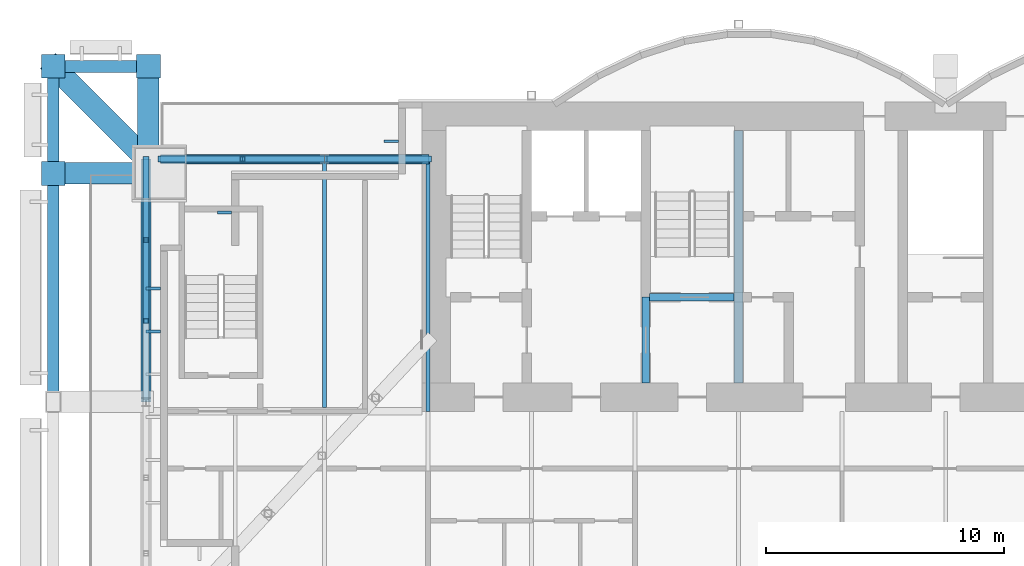
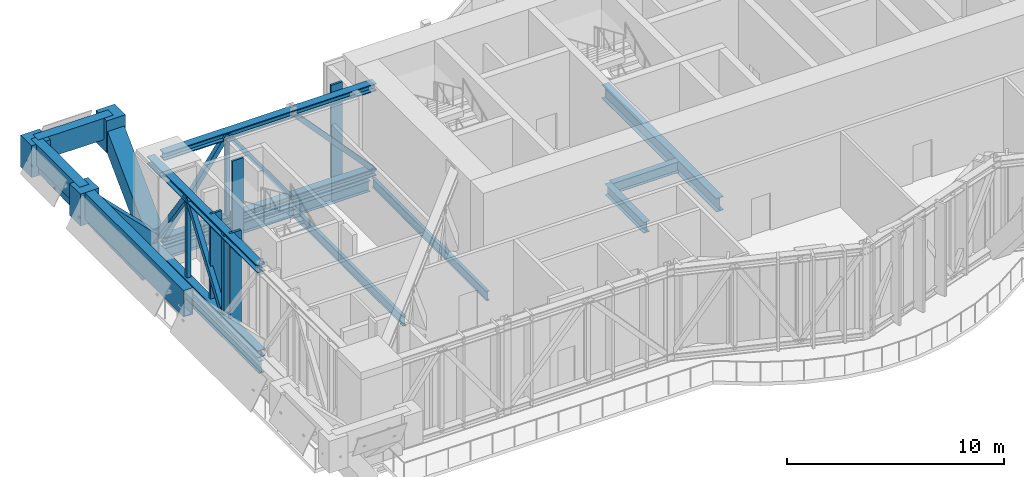
# One storey, part 5 of 20: 24 members, 11 beams, 1 element without a shape of its own.
"""IFC4 building model written with IfcOpenShell, lengths in metres."""

from ifc_helpers import new_model, si_unit, direction, frame, origin, origin_2d, place, context, subcontext, project, spatial, rectangle, hollow_rectangle, i_section, extrude, material, material_profile, profile_set, type_object, element, aggregate, save


model = new_model("IFC4")

# Units and contexts
model_context = context("Model", 3, precision=1e-05, world=origin(), true_north=direction((0.0, 1.0)))
body_context = subcontext(model_context, "Body", "Model", "MODEL_VIEW")
ifc_project = project(units=[si_unit("LENGTHUNIT", "METRE"), si_unit("AREAUNIT", "SQUARE_METRE"), si_unit("VOLUMEUNIT", "CUBIC_METRE"), si_unit("PLANEANGLEUNIT", "RADIAN"), si_unit("MASSUNIT", "GRAM", prefix="KILO")], contexts=[model_context])

# Site, building, storey
site_placement = place(None, origin())
site = spatial("IfcSite", under=ifc_project, at=site_placement, CompositionType="ELEMENT")
building_placement = place(site_placement, origin())
building = spatial("IfcBuilding", under=site, at=building_placement, Name="Bicima Exchange Tower", CompositionType="ELEMENT")
storey_placement = place(building_placement, frame((0.0, 0.0, 342.5)))
storey = spatial("IfcBuildingStorey", under=building, at=storey_placement, Name="L77", CompositionType="ELEMENT", Elevation=342.5)

# Curtain wall, members
ifc_material_1 = material(Name="Anodised bronze aluminium", Category="aluminium")
curtain_wall_type = type_object("IfcCurtainWallType", Name="Band blade screen", PredefinedType="NOTDEFINED", material=ifc_material_1)
curtain_wall_placement = place(storey_placement, origin())
curtain_wall = element("IfcCurtainWall", 1, at=curtain_wall_placement, inside=storey, type_object=curtain_wall_type, Name="Band blade screen L77", PredefinedType="NOTDEFINED")
ifc_material_profile_1 = material_profile(ifc_material_1, rectangle(XDim=0.60009765625, YDim=0.1201171875, at=origin_2d()))
ifc_profile_set_1 = profile_set([ifc_material_profile_1], Name="Anodised bronze aluminium")
member_type_1 = type_object("IfcMemberType", Name="Band blade fin 600 x 120", PredefinedType="USERDEFINED", material=ifc_profile_set_1)
member_1_placement = place(storey_placement, frame((-23.300048828125, -1.64990234375, 0.0), z_axis=(0.0, 0.0, 1.0), x_axis=(1.0, 0.0, 0.0)))
member_1 = element("IfcMember", 2, at=member_1_placement, type_object=member_type_1, Name="Band blade fin 9", ObjectType="FIN", PredefinedType="USERDEFINED", context=body_context, shape_type="SweptSolid", body=[
    extrude(rectangle(XDim=0.60009765625, YDim=0.1201171875, at=origin_2d()), origin(), (0.0, 0.0, 1.0), 5.199951171875),
])
member_2_placement = place(storey_placement, frame((-30.300048828125, -4.64990234375, 0.0), z_axis=(0.0, 0.0, 1.0), x_axis=(1.0, 0.0, 0.0)))
member_2 = element("IfcMember", 3, at=member_2_placement, type_object=member_type_1, Name="Band blade fin 10", ObjectType="FIN", PredefinedType="USERDEFINED", context=body_context, shape_type="SweptSolid", body=[
    extrude(rectangle(XDim=0.60009765625, YDim=0.1201171875, at=origin_2d()), origin(), (0.0, 0.0, 1.0), 5.199951171875),
])
member_3_placement = place(storey_placement, frame((-33.300048828125, -7.837890625, 0.0), z_axis=(0.0, 0.0, 1.0), x_axis=(1.0, 0.0, 0.0)))
member_3 = element("IfcMember", 4, at=member_3_placement, type_object=member_type_1, Name="Band blade fin 11", ObjectType="FIN", PredefinedType="USERDEFINED", context=body_context, shape_type="SweptSolid", body=[
    extrude(rectangle(XDim=0.60009765625, YDim=0.1201171875, at=origin_2d()), origin(), (0.0, 0.0, 1.0), 5.199951171875),
])
member_4_placement = place(storey_placement, frame((-33.300048828125, -9.637939453125, 0.0), z_axis=(0.0, 0.0, 1.0), x_axis=(1.0, 0.0, 0.0)))
member_4 = element("IfcMember", 5, at=member_4_placement, type_object=member_type_1, Name="Band blade fin 12", ObjectType="FIN", PredefinedType="USERDEFINED", context=body_context, shape_type="SweptSolid", body=[
    extrude(rectangle(XDim=0.60009765625, YDim=0.1201171875, at=origin_2d()), origin(), (0.0, 0.0, 1.0), 5.199951171875),
])
aggregate(curtain_wall, [member_1, member_2, member_3, member_4])

# Beams
ifc_material_2 = material(Name="Steel ASTM A572 Gr 50", Category="steel")
ifc_material_profile_2 = material_profile(ifc_material_2, hollow_rectangle(XDim=0.5, YDim=1.199951171875, WallThickness=0.0400390625, at=origin_2d()))
ifc_profile_set_2 = profile_set([ifc_material_profile_2], Name="Steel ASTM A572 Gr 50")
beam_type_1 = type_object("IfcBeamType", Name="Belt girder BOX 500x1200x40", PredefinedType="BEAM", material=ifc_profile_set_2)
beam_1_placement = place(storey_placement, frame((-33.5, 1.5, 4.60009765625), z_axis=(-1.0, 0.0, 0.0), x_axis=(0.0, -1.0, 0.0)))
element("IfcBeam", 6, at=beam_1_placement, inside=storey, type_object=beam_type_1, Name="Belt girder", PredefinedType="BEAM", context=body_context, shape_type="SweptSolid", body=[
    extrude(hollow_rectangle(XDim=0.5, YDim=1.199951171875, WallThickness=0.0400390625, at=origin_2d()), origin(), (0.0, 0.0, 1.0), 4.0),
])
beam_2_placement = place(storey_placement, frame((-37.5, 1.5, 4.60009765625), z_axis=(0.0, -1.0, 0.0), x_axis=(1.0, 0.0, 0.0)))
element("IfcBeam", 7, at=beam_2_placement, inside=storey, type_object=beam_type_1, Name="Belt girder", PredefinedType="BEAM", context=body_context, shape_type="SweptSolid", body=[
    extrude(hollow_rectangle(XDim=0.5, YDim=1.199951171875, WallThickness=0.0400390625, at=origin_2d()), origin(), (0.0, 0.0, 1.0), 4.5),
])
ifc_material_profile_3 = material_profile(ifc_material_2, hollow_rectangle(XDim=0.5, YDim=1.5, WallThickness=0.050048828125, at=origin_2d()))
ifc_profile_set_3 = profile_set([ifc_material_profile_3], Name="Steel ASTM A572 Gr 50")
beam_type_2 = type_object("IfcBeamType", Name="Belt girder BOX 500x1500x50", PredefinedType="BEAM", material=ifc_profile_set_3)
beam_3_placement = place(storey_placement, frame((-37.5, -3.0, 4.449951171875), z_axis=(0.0, -1.0, 0.0), x_axis=(1.0, 0.0, 0.0)))
element("IfcBeam", 8, at=beam_3_placement, inside=storey, type_object=beam_type_2, Name="Belt girder", PredefinedType="BEAM", context=body_context, shape_type="SweptSolid", body=[
    extrude(hollow_rectangle(XDim=0.5, YDim=1.5, WallThickness=0.050048828125, at=origin_2d()), origin(), (0.0, 0.0, 1.0), 9.60009765625),
])

# Members
ifc_material_3 = material(Name="Steel ASTM A992 Gr 50", Category="steel")
ifc_material_profile_4 = material_profile(ifc_material_3, i_section(OverallWidth=0.406494140625, OverallDepth=0.41650390625, WebThickness=0.030029296875, FlangeThickness=0.048095703125, at=origin_2d()))
ifc_profile_set_4 = profile_set([ifc_material_profile_4], Name="Steel ASTM A992 Gr 50")
member_type_2 = type_object("IfcMemberType", Name="Belt truss chord W14x257", PredefinedType="CHORD", material=ifc_profile_set_4)
for number, where, z_axis, x_axis, name in (
    (9, (-21.699951171875, -2.39990234375, 4.99169921875), (-1.0, 0.0, 0.0), (0.0, -1.0, 0.0), "Top chord"),
    (10, (-21.699951171875, -2.39990234375, 0.208251953125), (-1.0, 0.0, 0.0), (0.0, -1.0, 0.0), "Bottom chord"),
):
    element("IfcMember", number, at=place(storey_placement, frame(where, z_axis=z_axis, x_axis=x_axis)), inside=storey, type_object=member_type_2, Name=name, PredefinedType="CHORD", context=body_context, shape_type="SweptSolid", body=[
        extrude(i_section(OverallWidth=0.406494140625, OverallDepth=0.41650390625, WebThickness=0.030029296875, FlangeThickness=0.048095703125, at=origin_2d()), origin(), (0.0, 0.0, 1.0), 4.400146484375),
    ])
for number, where, z_axis, x_axis, name in (
    (11, (-26.10009765625, -2.39990234375, 4.99169921875), (-1.0, 0.0, 0.0), (0.0, -1.0, 0.0), "Top chord"),
    (12, (-26.10009765625, -2.39990234375, 0.208251953125), (-1.0, 0.0, 0.0), (0.0, -1.0, 0.0), "Bottom chord"),
):
    element("IfcMember", number, at=place(storey_placement, frame(where, z_axis=z_axis, x_axis=x_axis)), inside=storey, type_object=member_type_2, Name=name, PredefinedType="CHORD", context=body_context, shape_type="SweptSolid", body=[
        extrude(i_section(OverallWidth=0.406494140625, OverallDepth=0.41650390625, WebThickness=0.030029296875, FlangeThickness=0.048095703125, at=origin_2d()), origin(), (0.0, 0.0, 1.0), 6.89990234375),
    ])
for number, where, z_axis, x_axis, name in (
    (13, (-33.60009765625, -2.39990234375, 4.99169921875), (0.0, -1.0, 0.0), (1.0, 0.0, 0.0), "Top chord"),
    (14, (-33.60009765625, -2.39990234375, 0.208251953125), (0.0, -1.0, 0.0), (1.0, 0.0, 0.0), "Bottom chord"),
):
    element("IfcMember", number, at=place(storey_placement, frame(where, z_axis=z_axis, x_axis=x_axis)), inside=storey, type_object=member_type_2, Name=name, PredefinedType="CHORD", context=body_context, shape_type="SweptSolid", body=[
        extrude(i_section(OverallWidth=0.406494140625, OverallDepth=0.41650390625, WebThickness=0.030029296875, FlangeThickness=0.048095703125, at=origin_2d()), origin(), (0.0, 0.0, 1.0), 10.2001953125),
    ])
ifc_material_profile_5 = material_profile(ifc_material_2, hollow_rectangle(XDim=0.25390625, YDim=0.25390625, WallThickness=0.01171875, at=origin_2d()))
ifc_profile_set_5 = profile_set([ifc_material_profile_5], Name="Steel ASTM A572 Gr 50")
member_type_3 = type_object("IfcMemberType", Name="Belt truss diagonal HSS10x10x1/2", PredefinedType="STRUT", material=ifc_profile_set_5)
member_5_placement = place(storey_placement, frame((-21.699951171875, -2.39990234375, 0.208251953125), z_axis=(-0.67700444821, 0.0, 0.735978924362), x_axis=(0.0, -1.0, 0.0)))
element("IfcMember", 15, at=member_5_placement, inside=storey, type_object=member_type_3, Name="Truss diagonal", PredefinedType="STRUT", context=body_context, shape_type="SweptSolid", body=[
    extrude(hollow_rectangle(XDim=0.25390625, YDim=0.25390625, WallThickness=0.01171875, at=origin_2d()), origin(), (0.0, 0.0, 1.0), 6.49951171875),
])
for number, where, z_axis, x_axis, name in (
    (16, (-26.10009765625, -2.39990234375, 0.208251953125), (-0.584959927831, 0.0, 0.811062194182), (0.0, -1.0, 0.0), "Truss diagonal"),
    (17, (-29.550048828125, -2.39990234375, 4.99169921875), (-0.584959927831, 0.0, -0.811062194182), (0.0, -1.0, 0.0), "Truss diagonal"),
):
    element("IfcMember", number, at=place(storey_placement, frame(where, z_axis=z_axis, x_axis=x_axis)), inside=storey, type_object=member_type_3, Name=name, PredefinedType="STRUT", context=body_context, shape_type="SweptSolid", body=[
        extrude(hollow_rectangle(XDim=0.25390625, YDim=0.25390625, WallThickness=0.01171875, at=origin_2d()), origin(), (0.0, 0.0, 1.0), 5.897705078125),
    ])
for number, where, z_axis, x_axis, name in (
    (18, (-33.60009765625, -2.39990234375, 0.208251953125), (0.0, -0.579363528427, 0.815069262043), (1.0, 0.0, 0.0), "Truss diagonal"),
    (19, (-33.60009765625, -5.800048828125, 4.99169921875), (0.0, -0.579335890956, -0.81508890647), (1.0, 0.0, 0.0), "Truss diagonal"),
):
    element("IfcMember", number, at=place(storey_placement, frame(where, z_axis=z_axis, x_axis=x_axis)), inside=storey, type_object=member_type_3, Name=name, PredefinedType="STRUT", context=body_context, shape_type="SweptSolid", body=[
        extrude(hollow_rectangle(XDim=0.25390625, YDim=0.25390625, WallThickness=0.01171875, at=origin_2d()), origin(), (0.0, 0.0, 1.0), 5.86865234375),
    ])
ifc_material_profile_6 = material_profile(ifc_material_2, hollow_rectangle(XDim=0.203125, YDim=0.203125, WallThickness=0.01171875, at=origin_2d()))
ifc_profile_set_6 = profile_set([ifc_material_profile_6], Name="Steel ASTM A572 Gr 50")
member_type_4 = type_object("IfcMemberType", Name="Belt truss post HSS8x8x1/2", PredefinedType="POST", material=ifc_profile_set_6)
for number, where, z_axis, x_axis, name in (
    (20, (-29.550048828125, -2.39990234375, 0.208251953125), (0.0, 0.0, 1.0), (1.0, 0.0, 0.0), "Truss post"),
    (21, (-33.60009765625, -5.800048828125, 0.208251953125), (0.0, 0.0, 1.0), (1.0, 0.0, 0.0), "Truss post"),
    (22, (-33.60009765625, -9.199951171875, 0.208251953125), (0.0, 0.0, 1.0), (1.0, 0.0, 0.0), "Truss post"),
):
    element("IfcMember", number, at=place(storey_placement, frame(where, z_axis=z_axis, x_axis=x_axis)), inside=storey, type_object=member_type_4, Name=name, PredefinedType="POST", context=body_context, shape_type="SweptSolid", body=[
        extrude(hollow_rectangle(XDim=0.203125, YDim=0.203125, WallThickness=0.01171875, at=origin_2d()), origin(), (0.0, 0.0, 1.0), 4.783447265625),
    ])

# Beams
ifc_material_profile_7 = material_profile(ifc_material_3, i_section(OverallWidth=0.381103515625, OverallDepth=0.772216796875, WebThickness=0.0166015625, FlangeThickness=0.027099609375, at=origin_2d()))
ifc_profile_set_7 = profile_set([ifc_material_profile_7], Name="Steel ASTM A992 Gr 50")
beam_type_3 = type_object("IfcBeamType", Name="Crown stair east girder W30x173", PredefinedType="BEAM", material=ifc_profile_set_7)
beam_4_placement = place(storey_placement, frame((-8.699951171875, -11.800048828125, -0.586181640625), z_axis=(0.0, 1.0, 0.0), x_axis=(-1.0, 0.0, 0.0)))
element("IfcBeam", 23, at=beam_4_placement, inside=storey, type_object=beam_type_3, Name="Crown stair east girder", PredefinedType="BEAM", context=body_context, shape_type="SweptSolid", body=[
    extrude(i_section(OverallWidth=0.381103515625, OverallDepth=0.772216796875, WebThickness=0.0166015625, FlangeThickness=0.027099609375, at=origin_2d()), origin(), (0.0, 0.0, 1.0), 10.60009765625),
])
ifc_material_profile_8 = material_profile(ifc_material_3, i_section(OverallWidth=0.3251953125, OverallDepth=0.612060546875, WebThickness=0.0126953125, FlangeThickness=0.01904296875, at=origin_2d()))
ifc_profile_set_8 = profile_set([ifc_material_profile_8], Name="Steel ASTM A992 Gr 50")
beam_type_4 = type_object("IfcBeamType", Name="Crown stair lobby girder W24x104", PredefinedType="BEAM", material=ifc_profile_set_8)
beam_5_placement = place(storey_placement, frame((-12.4375, -8.199951171875, -0.506103515625), z_axis=(1.0, 0.0, 0.0), x_axis=(0.0, 1.0, 0.0)))
element("IfcBeam", 24, at=beam_5_placement, inside=storey, type_object=beam_type_4, Name="Crown stair lobby girder", PredefinedType="BEAM", context=body_context, shape_type="SweptSolid", body=[
    extrude(i_section(OverallWidth=0.3251953125, OverallDepth=0.612060546875, WebThickness=0.0126953125, FlangeThickness=0.01904296875, at=origin_2d()), origin(), (0.0, 0.0, 1.0), 3.547119140625),
])
beam_type_5 = type_object("IfcBeamType", Name="Crown stair west girder W24x104", PredefinedType="BEAM", material=ifc_profile_set_8)
beam_6_placement = place(storey_placement, frame((-12.60009765625, -11.800048828125, -0.506103515625), z_axis=(0.0, 1.0, 0.0), x_axis=(-1.0, 0.0, 0.0)))
element("IfcBeam", 25, at=beam_6_placement, inside=storey, type_object=beam_type_5, Name="Crown stair west girder", PredefinedType="BEAM", context=body_context, shape_type="SweptSolid", body=[
    extrude(i_section(OverallWidth=0.3251953125, OverallDepth=0.612060546875, WebThickness=0.0126953125, FlangeThickness=0.01904296875, at=origin_2d()), origin(), (0.0, 0.0, 1.0), 3.60009765625),
])
ifc_material_profile_9 = material_profile(ifc_material_3, i_section(OverallWidth=0.256591796875, OverallDepth=0.693359375, WebThickness=0.014404296875, FlangeThickness=0.023681640625, at=origin_2d()))
ifc_profile_set_9 = profile_set([ifc_material_profile_9], Name="Steel ASTM A992 Gr 50")
beam_type_6 = type_object("IfcBeamType", Name="End girder W27x114", PredefinedType="BEAM", material=ifc_profile_set_9)
beam_7_placement = place(storey_placement, frame((-33.60009765625, -2.39990234375, -0.546630859375), z_axis=(0.0, -1.0, 0.0), x_axis=(1.0, 0.0, 0.0)))
element("IfcBeam", 26, at=beam_7_placement, inside=storey, type_object=beam_type_6, Name="End girder", PredefinedType="BEAM", context=body_context, shape_type="SweptSolid", body=[
    extrude(i_section(OverallWidth=0.256591796875, OverallDepth=0.693359375, WebThickness=0.014404296875, FlangeThickness=0.023681640625, at=origin_2d()), origin(), (0.0, 0.0, 1.0), 10.2001953125),
])

# Members
ifc_material_4 = material(Name="Cast steel ASTM A216 Gr WCB", Category="steel")
ifc_material_profile_10 = material_profile(ifc_material_4, rectangle(XDim=1.0, YDim=1.0, at=origin_2d()))
ifc_profile_set_10 = profile_set([ifc_material_profile_10], Name="Cast steel ASTM A216 Gr WCB")
member_type_5 = type_object("IfcMemberType", Name="Exo node block", PredefinedType="POST", material=ifc_profile_set_10)
for number, where, z_axis, x_axis, name in (
    (27, (-33.5, 1.5, 3.39990234375), (0.0, 0.0, 1.0), (1.0, 0.0, 0.0), "Exo node block"),
    (28, (-37.5, 1.5, 3.39990234375), (0.0, 0.0, 1.0), (1.0, 0.0, 0.0), "Exo node block"),
    (29, (-37.5, -3.0, 3.39990234375), (0.0, 0.0, 1.0), (1.0, 0.0, 0.0), "Exo node block"),
):
    element("IfcMember", number, at=place(storey_placement, frame(where, z_axis=z_axis, x_axis=x_axis)), inside=storey, type_object=member_type_5, Name=name, PredefinedType="POST", context=body_context, shape_type="SweptSolid", body=[
        extrude(rectangle(XDim=1.0, YDim=1.0, at=origin_2d()), origin(), (0.0, 0.0, 1.0), 1.800048828125),
    ])
ifc_material_profile_11 = material_profile(ifc_material_2, hollow_rectangle(XDim=0.89990234375, YDim=0.89990234375, WallThickness=0.050048828125, at=origin_2d()))
ifc_profile_set_11 = profile_set([ifc_material_profile_11], Name="Steel ASTM A572 Gr 50")
member_type_6 = type_object("IfcMemberType", Name="Exo outrigger stub BOX 900x900x50", PredefinedType="STRUT", material=ifc_profile_set_11)
member_6_placement = place(storey_placement, frame((-33.5, -2.199951171875, 0.75), z_axis=(0.0, 0.707106781187, 0.707106781187), x_axis=(-1.0, 0.0, 0.0)))
element("IfcMember", 30, at=member_6_placement, inside=storey, type_object=member_type_6, Name="Exo outrigger stub", PredefinedType="STRUT", context=body_context, shape_type="SweptSolid", body=[
    extrude(hollow_rectangle(XDim=0.89990234375, YDim=0.89990234375, WallThickness=0.050048828125, at=origin_2d()), origin(), (0.0, 0.0, 1.0), 5.232421875),
])
member_7_placement = place(storey_placement, frame((-33.565673828125, -2.434326171875, -1.31396484375), z_axis=(-0.491098455034, 0.491098455034, 0.719475235798), x_axis=(-0.707106781187, -0.707106781187, 0.0)))
element("IfcMember", 31, at=member_7_placement, inside=storey, type_object=member_type_6, Name="Exo outrigger stub", PredefinedType="STRUT", context=body_context, shape_type="SweptSolid", body=[
    extrude(hollow_rectangle(XDim=0.89990234375, YDim=0.89990234375, WallThickness=0.050048828125, at=origin_2d()), origin(), (0.0, 0.0, 1.0), 8.01123046875),
])
member_8_placement = place(storey_placement, frame((-34.10009765625, -3.0, 1.050048828125), z_axis=(-0.707106781187, 0.0, 0.707106781187), x_axis=(0.0, -1.0, 0.0)))
element("IfcMember", 32, at=member_8_placement, inside=storey, type_object=member_type_6, Name="Exo outrigger stub", PredefinedType="STRUT", context=body_context, shape_type="SweptSolid", body=[
    extrude(hollow_rectangle(XDim=0.89990234375, YDim=0.89990234375, WallThickness=0.050048828125, at=origin_2d()), origin(), (0.0, 0.0, 1.0), 4.80810546875),
])

# Beams
ifc_material_profile_12 = material_profile(ifc_material_3, i_section(OverallWidth=0.165771484375, OverallDepth=0.5283203125, WebThickness=0.009765625, FlangeThickness=0.013671875, at=origin_2d()))
ifc_profile_set_12 = profile_set([ifc_material_profile_12], Name="Steel ASTM A992 Gr 50")
beam_type_7 = type_object("IfcBeamType", Name="Floor beam W21x50", PredefinedType="JOIST", material=ifc_profile_set_12)
beam_8_placement = place(storey_placement, frame((-26.10009765625, -2.5625, -0.464111328125), z_axis=(0.0, -1.0, 0.0), x_axis=(1.0, 0.0, 0.0)))
element("IfcBeam", 33, at=beam_8_placement, inside=storey, type_object=beam_type_7, Name="Floor beam", PredefinedType="JOIST", context=body_context, shape_type="SweptSolid", body=[
    extrude(i_section(OverallWidth=0.165771484375, OverallDepth=0.5283203125, WebThickness=0.009765625, FlangeThickness=0.013671875, at=origin_2d()), origin(), (0.0, 0.0, 1.0), 10.28515625),
])
beam_9_placement = place(storey_placement, frame((-21.75, -2.39990234375, -0.464111328125), z_axis=(0.0, -1.0, 0.0), x_axis=(1.0, 0.0, 0.0)))
element("IfcBeam", 34, at=beam_9_placement, inside=storey, type_object=beam_type_7, Name="Floor beam", PredefinedType="JOIST", context=body_context, shape_type="SweptSolid", body=[
    extrude(i_section(OverallWidth=0.165771484375, OverallDepth=0.5283203125, WebThickness=0.009765625, FlangeThickness=0.013671875, at=origin_2d()), origin(), (0.0, 0.0, 1.0), 10.60009765625),
])
beam_type_8 = type_object("IfcBeamType", Name="Rear girder W24x104", PredefinedType="BEAM", material=ifc_profile_set_8)
beam_10_placement = place(storey_placement, frame((-22.0, -2.39990234375, -0.506103515625), z_axis=(-1.0, 0.0, 0.0), x_axis=(0.0, -1.0, 0.0)))
element("IfcBeam", 35, at=beam_10_placement, inside=storey, type_object=beam_type_8, Name="Rear girder", PredefinedType="BEAM", context=body_context, shape_type="SweptSolid", body=[
    extrude(i_section(OverallWidth=0.3251953125, OverallDepth=0.612060546875, WebThickness=0.0126953125, FlangeThickness=0.01904296875, at=origin_2d()), origin(), (0.0, 0.0, 1.0), 4.10009765625),
])
beam_11_placement = place(storey_placement, frame((-26.10009765625, -2.39990234375, -0.506103515625), z_axis=(-1.0, 0.0, 0.0), x_axis=(0.0, -1.0, 0.0)))
element("IfcBeam", 36, at=beam_11_placement, inside=storey, type_object=beam_type_8, Name="Rear girder", PredefinedType="BEAM", context=body_context, shape_type="SweptSolid", body=[
    extrude(i_section(OverallWidth=0.3251953125, OverallDepth=0.612060546875, WebThickness=0.0126953125, FlangeThickness=0.01904296875, at=origin_2d()), origin(), (0.0, 0.0, 1.0), 6.89990234375),
])

save(model, "model.ifc")
